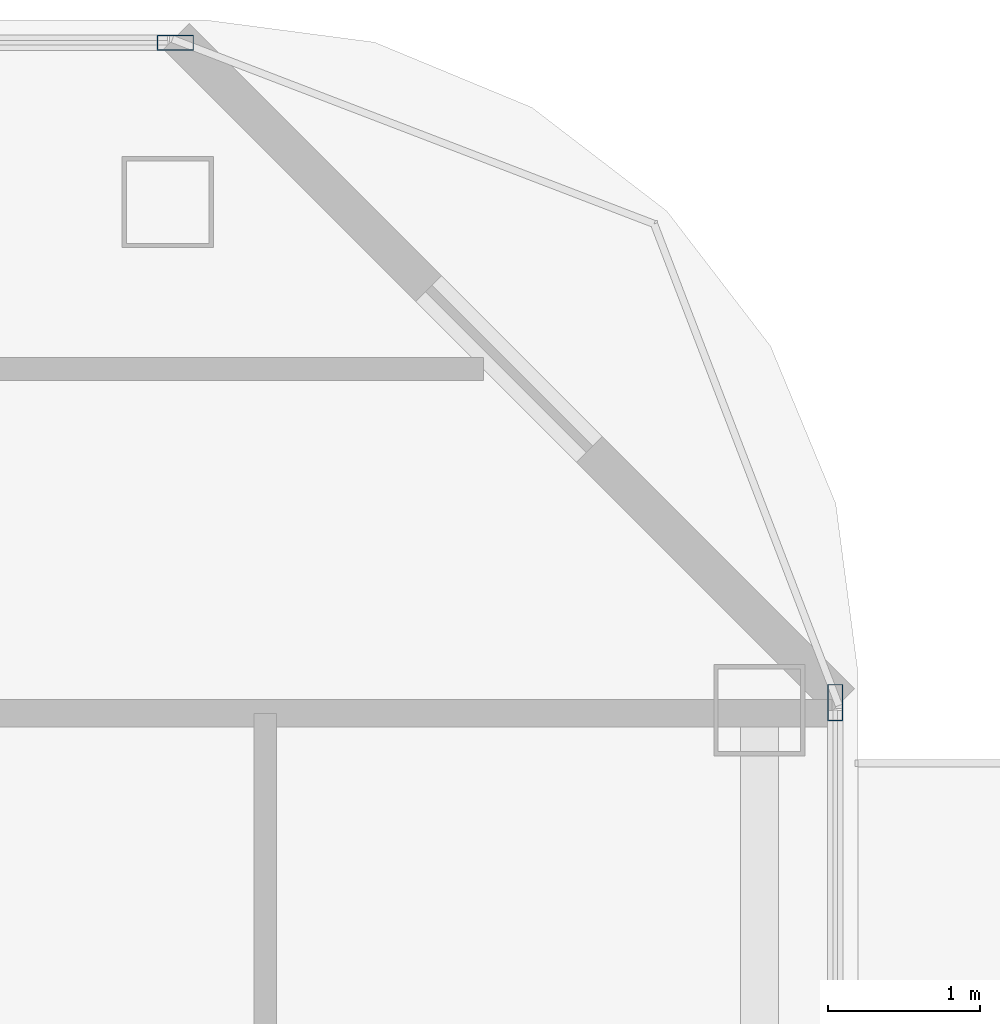
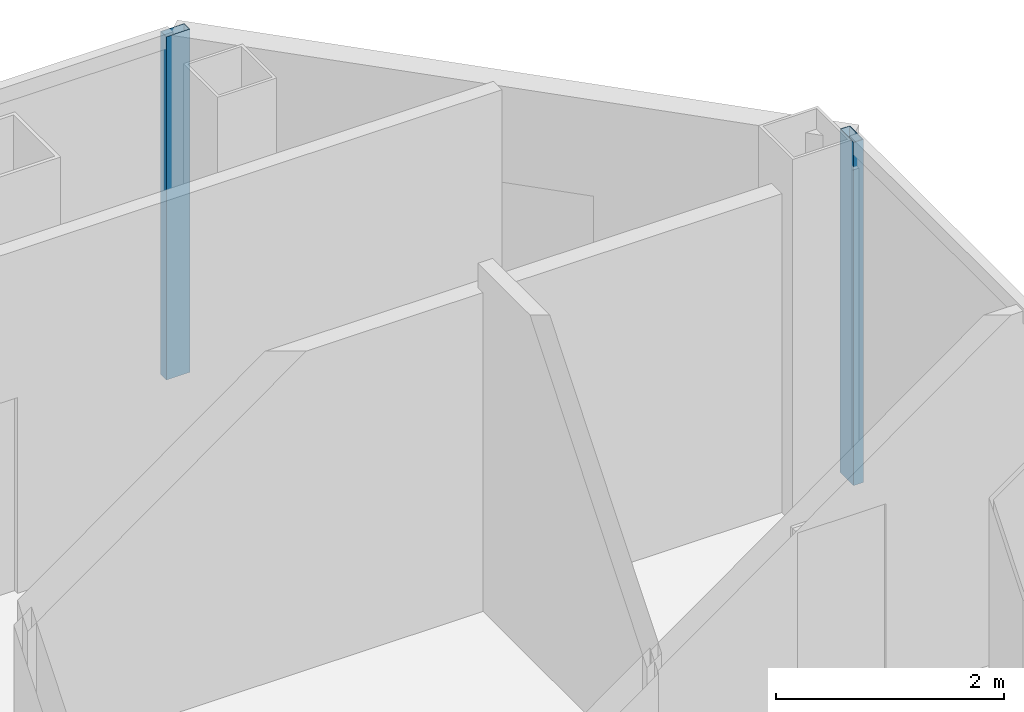
# One storey, part 18 of 27: 2 members, 2 elements without a shape of their own.
"""IFC4 building model written with IfcOpenShell, lengths in metres."""

from ifc_helpers import new_model, si_unit, direction, frame, origin, origin_2d, place, context, subcontext, project, spatial, hollow_rectangle, extrude, material, layer, layer_set, material_profile, profile_set, type_object, element, aggregate, save


model = new_model("IFC4")

# Units and contexts
model_context = context("Model", 3, precision=1e-05, world=origin(), true_north=direction((0.0, 1.0)))
body_context = subcontext(model_context, "Body", "Model", "MODEL_VIEW")
ifc_project = project(units=[si_unit("LENGTHUNIT", "METRE"), si_unit("AREAUNIT", "SQUARE_METRE"), si_unit("VOLUMEUNIT", "CUBIC_METRE"), si_unit("PLANEANGLEUNIT", "RADIAN"), si_unit("MASSUNIT", "GRAM", prefix="KILO")], contexts=[model_context])

# Site, building, storey
site_placement = place(None, origin())
site = spatial("IfcSite", under=ifc_project, at=site_placement, CompositionType="ELEMENT")
building_placement = place(site_placement, origin())
building = spatial("IfcBuilding", under=site, at=building_placement, Name="Khorvyn Point Tower", CompositionType="ELEMENT")
storey_placement = place(building_placement, frame((0.0, 0.0, 227.39990234375)))
storey = spatial("IfcBuildingStorey", under=building, at=storey_placement, Name="L56", CompositionType="ELEMENT", Elevation=227.39990234375)

# Curtain wall, member
ifc_material_1 = material(Name="Anodised aluminium 6063-T6 and laminated Low-E glass", Category="aluminium")
ifc_layer = layer(ifc_material_1, 0.18994140625)
ifc_layer_set = layer_set([ifc_layer], Name="Stick-Built Acoustic Curtain Wall CW-SYS-03")
curtain_wall_type = type_object("IfcCurtainWallType", Name="Stick-Built Acoustic Curtain Wall CW-SYS-03", PredefinedType="NOTDEFINED", material=ifc_layer_set)
curtain_wall_1_placement = place(storey_placement, origin())
curtain_wall_1 = element("IfcCurtainWall", 1, at=curtain_wall_1_placement, inside=storey, type_object=curtain_wall_type, Name="Curtain Wall", PredefinedType="NOTDEFINED")
ifc_material_2 = material(Name="Anodised aluminium 6063-T6", Category="aluminium")
ifc_material_profile = material_profile(ifc_material_2, hollow_rectangle(XDim=0.10009765625, YDim=0.239990234375, WallThickness=0.0048828125, at=origin_2d()))
ifc_profile_set = profile_set([ifc_material_profile], Name="Anodised aluminium 6063-T6 ALU-MUL-100x240")
member_type = type_object("IfcMemberType", Name="Anodised Aluminium 6063-T6 Mullion ALU-MUL-100x240", PredefinedType="MULLION", material=ifc_profile_set)
member_1_placement = place(storey_placement, frame((21.800048828125, 15.85009765625, 0.0), z_axis=(0.0, 0.0, 1.0), x_axis=(0.0, 1.0, 0.0)))
member_1 = element("IfcMember", 2, at=member_1_placement, type_object=member_type, Name="Transom", PredefinedType="MULLION", context=body_context, shape_type="SweptSolid", body=[
    extrude(hollow_rectangle(XDim=0.10009765625, YDim=0.239990234375, WallThickness=0.0048828125, at=origin_2d()), origin(), (0.0, 0.0, 1.0), 3.68017578125),
])
aggregate(curtain_wall_1, [member_1])

curtain_wall_2_placement = place(storey_placement, origin())
curtain_wall_2 = element("IfcCurtainWall", 3, at=curtain_wall_2_placement, inside=storey, type_object=curtain_wall_type, Name="Curtain Wall", PredefinedType="NOTDEFINED")
member_2_placement = place(storey_placement, frame((26.14990234375, 11.5, 0.0), z_axis=(0.0, 0.0, 1.0), x_axis=(1.0, 0.0, 0.0)))
member_2 = element("IfcMember", 4, at=member_2_placement, type_object=member_type, Name="Transom", PredefinedType="MULLION", context=body_context, shape_type="SweptSolid", body=[
    extrude(hollow_rectangle(XDim=0.10009765625, YDim=0.239990234375, WallThickness=0.0048828125, at=origin_2d()), origin(), (0.0, 0.0, 1.0), 3.68017578125),
])
aggregate(curtain_wall_2, [member_2])

save(model, "model.ifc")
